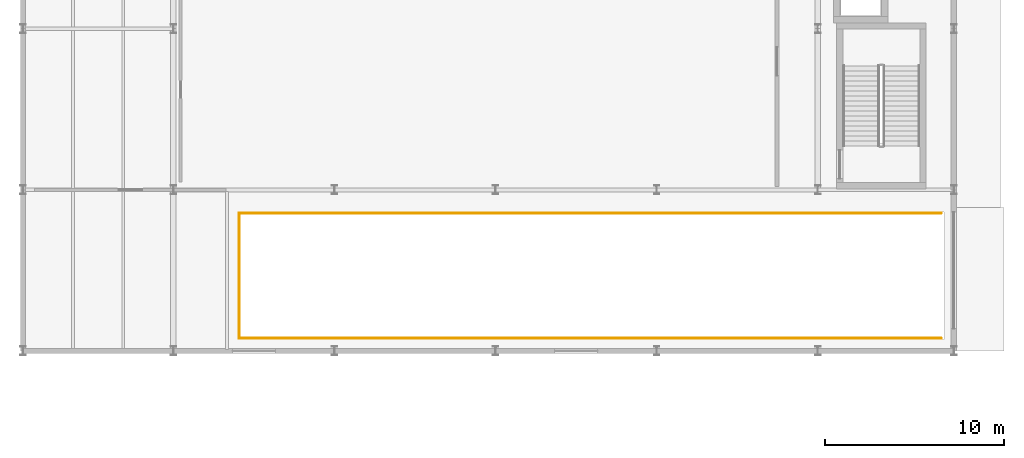
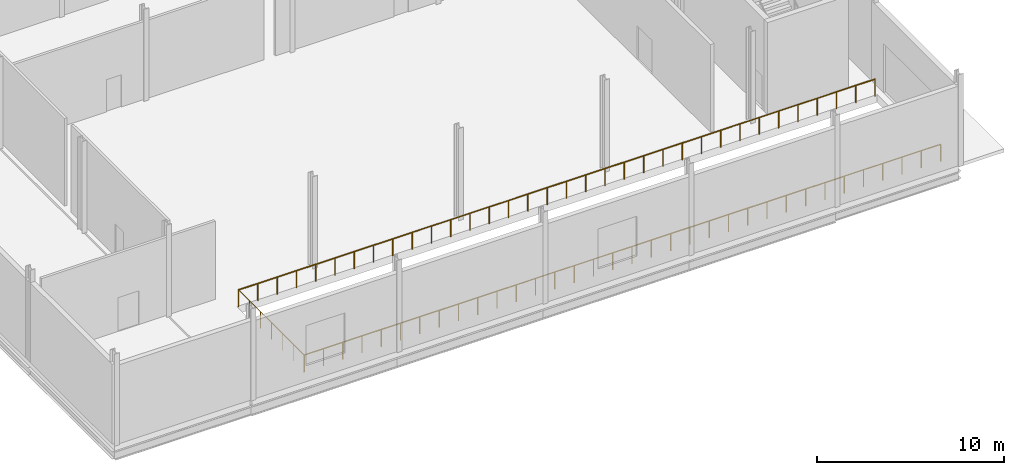
# One storey, part 79 of 84: 3 railings.
"""IFC4 building model written with IfcOpenShell, lengths in metres."""

from ifc_helpers import new_model, si_unit, direction, frame, origin, origin_2d, place, context, subcontext, project, spatial, circle, extrude, material, type_object, element, save


model = new_model("IFC4")

# Units and contexts
model_context = context("Model", 3, precision=1e-05, world=origin(), true_north=direction((0.0, 1.0)))
body_context = subcontext(model_context, "Body", "Model", "MODEL_VIEW")
ifc_project = project(units=[si_unit("LENGTHUNIT", "METRE"), si_unit("AREAUNIT", "SQUARE_METRE"), si_unit("VOLUMEUNIT", "CUBIC_METRE"), si_unit("PLANEANGLEUNIT", "RADIAN"), si_unit("MASSUNIT", "GRAM", prefix="KILO")], contexts=[model_context])

# Site, building, storey
site_placement = place(None, origin())
site = spatial("IfcSite", under=ifc_project, at=site_placement, CompositionType="ELEMENT")
building_placement = place(site_placement, origin())
building = spatial("IfcBuilding", under=site, at=building_placement, Name="Sefraquen Railside Congress Hotel", CompositionType="ELEMENT")
storey_placement = place(building_placement, origin())
storey = spatial("IfcBuildingStorey", under=building, at=storey_placement, Name="L00", CompositionType="ELEMENT", Elevation=0.0)

# Railings
ifc_material = material(Name="Patinated wrought architectural bronze", Category="metal")
railing_type = type_object("IfcRailingType", Name="TRL-BAL-110", PredefinedType="BALUSTRADE", material=ifc_material)
railing_1_placement = place(storey_placement, frame((171.300048828125, 9.699951171875, 0.0)))
element("IfcRailing", 1, at=railing_1_placement, inside=storey, type_object=railing_type, Name="Basement vehicle ramp L00 void guard", PredefinedType="BALUSTRADE", context=body_context, shape_type="SweptSolid", body=[
    extrude(circle(Radius=0.02392578125, at=origin_2d()), frame((0.0, 0.0, 1.09619140625), z_axis=(-1.0, 0.0, 0.0), x_axis=(0.0, -1.0, 0.0)), (0.0, 0.0, 1.0), 39.219970703125),
    extrude(circle(Radius=0.02099609375, at=origin_2d()), origin(), (0.0, 0.0, 1.0), 1.072021484375),
    extrude(circle(Radius=0.02099609375, at=origin_2d()), frame((-1.1884765625, 0.0, 0.0)), (0.0, 0.0, 1.0), 1.072021484375),
    extrude(circle(Radius=0.02099609375, at=origin_2d()), frame((-2.376953125, 0.0, 0.0)), (0.0, 0.0, 1.0), 1.072021484375),
    extrude(circle(Radius=0.02099609375, at=origin_2d()), frame((-3.5654296875, 0.0, 0.0)), (0.0, 0.0, 1.0), 1.072021484375),
    extrude(circle(Radius=0.02099609375, at=origin_2d()), frame((-4.75390625, 0.0, 0.0)), (0.0, 0.0, 1.0), 1.072021484375),
    extrude(circle(Radius=0.02099609375, at=origin_2d()), frame((-5.9423828125, 0.0, 0.0)), (0.0, 0.0, 1.0), 1.072021484375),
    extrude(circle(Radius=0.02099609375, at=origin_2d()), frame((-7.130859375, 0.0, 0.0)), (0.0, 0.0, 1.0), 1.072021484375),
    extrude(circle(Radius=0.02099609375, at=origin_2d()), frame((-8.3193359375, 0.0, 0.0)), (0.0, 0.0, 1.0), 1.072021484375),
    extrude(circle(Radius=0.02099609375, at=origin_2d()), frame((-9.5078125, 0.0, 0.0)), (0.0, 0.0, 1.0), 1.072021484375),
    extrude(circle(Radius=0.02099609375, at=origin_2d()), frame((-10.6962890625, 0.0, 0.0)), (0.0, 0.0, 1.0), 1.072021484375),
    extrude(circle(Radius=0.02099609375, at=origin_2d()), frame((-11.884765625, 0.0, 0.0)), (0.0, 0.0, 1.0), 1.072021484375),
    extrude(circle(Radius=0.02099609375, at=origin_2d()), frame((-13.0732421875, 0.0, 0.0)), (0.0, 0.0, 1.0), 1.072021484375),
    extrude(circle(Radius=0.02099609375, at=origin_2d()), frame((-14.26171875, 0.0, 0.0)), (0.0, 0.0, 1.0), 1.072021484375),
    extrude(circle(Radius=0.02099609375, at=origin_2d()), frame((-15.4501953125, 0.0, 0.0)), (0.0, 0.0, 1.0), 1.072021484375),
    extrude(circle(Radius=0.02099609375, at=origin_2d()), frame((-16.638671875, 0.0, 0.0)), (0.0, 0.0, 1.0), 1.072021484375),
    extrude(circle(Radius=0.02099609375, at=origin_2d()), frame((-17.8271484375, 0.0, 0.0)), (0.0, 0.0, 1.0), 1.072021484375),
    extrude(circle(Radius=0.02099609375, at=origin_2d()), frame((-19.015625, 0.0, 0.0)), (0.0, 0.0, 1.0), 1.072021484375),
    extrude(circle(Radius=0.02099609375, at=origin_2d()), frame((-20.204345703125, 0.0, 0.0)), (0.0, 0.0, 1.0), 1.072021484375),
    extrude(circle(Radius=0.02099609375, at=origin_2d()), frame((-21.392822265625, 0.0, 0.0)), (0.0, 0.0, 1.0), 1.072021484375),
    extrude(circle(Radius=0.02099609375, at=origin_2d()), frame((-22.581298828125, 0.0, 0.0)), (0.0, 0.0, 1.0), 1.072021484375),
    extrude(circle(Radius=0.02099609375, at=origin_2d()), frame((-23.769775390625, 0.0, 0.0)), (0.0, 0.0, 1.0), 1.072021484375),
    extrude(circle(Radius=0.02099609375, at=origin_2d()), frame((-24.958251953125, 0.0, 0.0)), (0.0, 0.0, 1.0), 1.072021484375),
    extrude(circle(Radius=0.02099609375, at=origin_2d()), frame((-26.146728515625, 0.0, 0.0)), (0.0, 0.0, 1.0), 1.072021484375),
    extrude(circle(Radius=0.02099609375, at=origin_2d()), frame((-27.335205078125, 0.0, 0.0)), (0.0, 0.0, 1.0), 1.072021484375),
    extrude(circle(Radius=0.02099609375, at=origin_2d()), frame((-28.523681640625, 0.0, 0.0)), (0.0, 0.0, 1.0), 1.072021484375),
    extrude(circle(Radius=0.02099609375, at=origin_2d()), frame((-29.712158203125, 0.0, 0.0)), (0.0, 0.0, 1.0), 1.072021484375),
    extrude(circle(Radius=0.02099609375, at=origin_2d()), frame((-30.900634765625, 0.0, 0.0)), (0.0, 0.0, 1.0), 1.072021484375),
    extrude(circle(Radius=0.02099609375, at=origin_2d()), frame((-32.089111328125, 0.0, 0.0)), (0.0, 0.0, 1.0), 1.072021484375),
    extrude(circle(Radius=0.02099609375, at=origin_2d()), frame((-33.277587890625, 0.0, 0.0)), (0.0, 0.0, 1.0), 1.072021484375),
    extrude(circle(Radius=0.02099609375, at=origin_2d()), frame((-34.466064453125, 0.0, 0.0)), (0.0, 0.0, 1.0), 1.072021484375),
    extrude(circle(Radius=0.02099609375, at=origin_2d()), frame((-35.654541015625, 0.0, 0.0)), (0.0, 0.0, 1.0), 1.072021484375),
    extrude(circle(Radius=0.02099609375, at=origin_2d()), frame((-36.843017578125, 0.0, 0.0)), (0.0, 0.0, 1.0), 1.072021484375),
    extrude(circle(Radius=0.02099609375, at=origin_2d()), frame((-38.031494140625, 0.0, 0.0)), (0.0, 0.0, 1.0), 1.072021484375),
    extrude(circle(Radius=0.02099609375, at=origin_2d()), frame((-39.219970703125, 0.0, 0.0)), (0.0, 0.0, 1.0), 1.072021484375),
])
railing_2_placement = place(storey_placement, frame((132.080078125, 9.699951171875, 0.0)))
element("IfcRailing", 2, at=railing_2_placement, inside=storey, type_object=railing_type, Name="Basement vehicle ramp L00 void guard", PredefinedType="BALUSTRADE", context=body_context, shape_type="SweptSolid", body=[
    extrude(circle(Radius=0.02392578125, at=origin_2d()), frame((0.0, 0.0, 1.09619140625), z_axis=(0.0, 1.0, 0.0), x_axis=(-1.0, 0.0, 0.0)), (0.0, 0.0, 1.0), 7.0),
    extrude(circle(Radius=0.02099609375, at=origin_2d()), origin(), (0.0, 0.0, 1.0), 1.072021484375),
    extrude(circle(Radius=0.02099609375, at=origin_2d()), frame((0.0, 1.166748046875, 0.0)), (0.0, 0.0, 1.0), 1.072021484375),
    extrude(circle(Radius=0.02099609375, at=origin_2d()), frame((0.0, 2.333251953125, 0.0)), (0.0, 0.0, 1.0), 1.072021484375),
    extrude(circle(Radius=0.02099609375, at=origin_2d()), frame((0.0, 3.5, 0.0)), (0.0, 0.0, 1.0), 1.072021484375),
    extrude(circle(Radius=0.02099609375, at=origin_2d()), frame((0.0, 4.666748046875, 0.0)), (0.0, 0.0, 1.0), 1.072021484375),
    extrude(circle(Radius=0.02099609375, at=origin_2d()), frame((0.0, 5.833251953125, 0.0)), (0.0, 0.0, 1.0), 1.072021484375),
    extrude(circle(Radius=0.02099609375, at=origin_2d()), frame((0.0, 7.0, 0.0)), (0.0, 0.0, 1.0), 1.072021484375),
])
railing_3_placement = place(storey_placement, frame((132.080078125, 16.699951171875, 0.0)))
element("IfcRailing", 3, at=railing_3_placement, inside=storey, type_object=railing_type, Name="Basement vehicle ramp L00 void guard", PredefinedType="BALUSTRADE", context=body_context, shape_type="SweptSolid", body=[
    extrude(circle(Radius=0.02392578125, at=origin_2d()), frame((0.0, 0.0, 1.09619140625), z_axis=(1.0, 0.0, 0.0), x_axis=(0.0, 1.0, 0.0)), (0.0, 0.0, 1.0), 39.219970703125),
    extrude(circle(Radius=0.02099609375, at=origin_2d()), origin(), (0.0, 0.0, 1.0), 1.072021484375),
    extrude(circle(Radius=0.02099609375, at=origin_2d()), frame((1.1884765625, 0.0, 0.0)), (0.0, 0.0, 1.0), 1.072021484375),
    extrude(circle(Radius=0.02099609375, at=origin_2d()), frame((2.376953125, 0.0, 0.0)), (0.0, 0.0, 1.0), 1.072021484375),
    extrude(circle(Radius=0.02099609375, at=origin_2d()), frame((3.5654296875, 0.0, 0.0)), (0.0, 0.0, 1.0), 1.072021484375),
    extrude(circle(Radius=0.02099609375, at=origin_2d()), frame((4.75390625, 0.0, 0.0)), (0.0, 0.0, 1.0), 1.072021484375),
    extrude(circle(Radius=0.02099609375, at=origin_2d()), frame((5.9423828125, 0.0, 0.0)), (0.0, 0.0, 1.0), 1.072021484375),
    extrude(circle(Radius=0.02099609375, at=origin_2d()), frame((7.130859375, 0.0, 0.0)), (0.0, 0.0, 1.0), 1.072021484375),
    extrude(circle(Radius=0.02099609375, at=origin_2d()), frame((8.3193359375, 0.0, 0.0)), (0.0, 0.0, 1.0), 1.072021484375),
    extrude(circle(Radius=0.02099609375, at=origin_2d()), frame((9.5078125, 0.0, 0.0)), (0.0, 0.0, 1.0), 1.072021484375),
    extrude(circle(Radius=0.02099609375, at=origin_2d()), frame((10.6962890625, 0.0, 0.0)), (0.0, 0.0, 1.0), 1.072021484375),
    extrude(circle(Radius=0.02099609375, at=origin_2d()), frame((11.884765625, 0.0, 0.0)), (0.0, 0.0, 1.0), 1.072021484375),
    extrude(circle(Radius=0.02099609375, at=origin_2d()), frame((13.0732421875, 0.0, 0.0)), (0.0, 0.0, 1.0), 1.072021484375),
    extrude(circle(Radius=0.02099609375, at=origin_2d()), frame((14.26171875, 0.0, 0.0)), (0.0, 0.0, 1.0), 1.072021484375),
    extrude(circle(Radius=0.02099609375, at=origin_2d()), frame((15.4501953125, 0.0, 0.0)), (0.0, 0.0, 1.0), 1.072021484375),
    extrude(circle(Radius=0.02099609375, at=origin_2d()), frame((16.638671875, 0.0, 0.0)), (0.0, 0.0, 1.0), 1.072021484375),
    extrude(circle(Radius=0.02099609375, at=origin_2d()), frame((17.8271484375, 0.0, 0.0)), (0.0, 0.0, 1.0), 1.072021484375),
    extrude(circle(Radius=0.02099609375, at=origin_2d()), frame((19.015625, 0.0, 0.0)), (0.0, 0.0, 1.0), 1.072021484375),
    extrude(circle(Radius=0.02099609375, at=origin_2d()), frame((20.204345703125, 0.0, 0.0)), (0.0, 0.0, 1.0), 1.072021484375),
    extrude(circle(Radius=0.02099609375, at=origin_2d()), frame((21.392822265625, 0.0, 0.0)), (0.0, 0.0, 1.0), 1.072021484375),
    extrude(circle(Radius=0.02099609375, at=origin_2d()), frame((22.581298828125, 0.0, 0.0)), (0.0, 0.0, 1.0), 1.072021484375),
    extrude(circle(Radius=0.02099609375, at=origin_2d()), frame((23.769775390625, 0.0, 0.0)), (0.0, 0.0, 1.0), 1.072021484375),
    extrude(circle(Radius=0.02099609375, at=origin_2d()), frame((24.958251953125, 0.0, 0.0)), (0.0, 0.0, 1.0), 1.072021484375),
    extrude(circle(Radius=0.02099609375, at=origin_2d()), frame((26.146728515625, 0.0, 0.0)), (0.0, 0.0, 1.0), 1.072021484375),
    extrude(circle(Radius=0.02099609375, at=origin_2d()), frame((27.335205078125, 0.0, 0.0)), (0.0, 0.0, 1.0), 1.072021484375),
    extrude(circle(Radius=0.02099609375, at=origin_2d()), frame((28.523681640625, 0.0, 0.0)), (0.0, 0.0, 1.0), 1.072021484375),
    extrude(circle(Radius=0.02099609375, at=origin_2d()), frame((29.712158203125, 0.0, 0.0)), (0.0, 0.0, 1.0), 1.072021484375),
    extrude(circle(Radius=0.02099609375, at=origin_2d()), frame((30.900634765625, 0.0, 0.0)), (0.0, 0.0, 1.0), 1.072021484375),
    extrude(circle(Radius=0.02099609375, at=origin_2d()), frame((32.089111328125, 0.0, 0.0)), (0.0, 0.0, 1.0), 1.072021484375),
    extrude(circle(Radius=0.02099609375, at=origin_2d()), frame((33.277587890625, 0.0, 0.0)), (0.0, 0.0, 1.0), 1.072021484375),
    extrude(circle(Radius=0.02099609375, at=origin_2d()), frame((34.466064453125, 0.0, 0.0)), (0.0, 0.0, 1.0), 1.072021484375),
    extrude(circle(Radius=0.02099609375, at=origin_2d()), frame((35.654541015625, 0.0, 0.0)), (0.0, 0.0, 1.0), 1.072021484375),
    extrude(circle(Radius=0.02099609375, at=origin_2d()), frame((36.843017578125, 0.0, 0.0)), (0.0, 0.0, 1.0), 1.072021484375),
    extrude(circle(Radius=0.02099609375, at=origin_2d()), frame((38.031494140625, 0.0, 0.0)), (0.0, 0.0, 1.0), 1.072021484375),
    extrude(circle(Radius=0.02099609375, at=origin_2d()), frame((39.219970703125, 0.0, 0.0)), (0.0, 0.0, 1.0), 1.072021484375),
])

save(model, "model.ifc")
